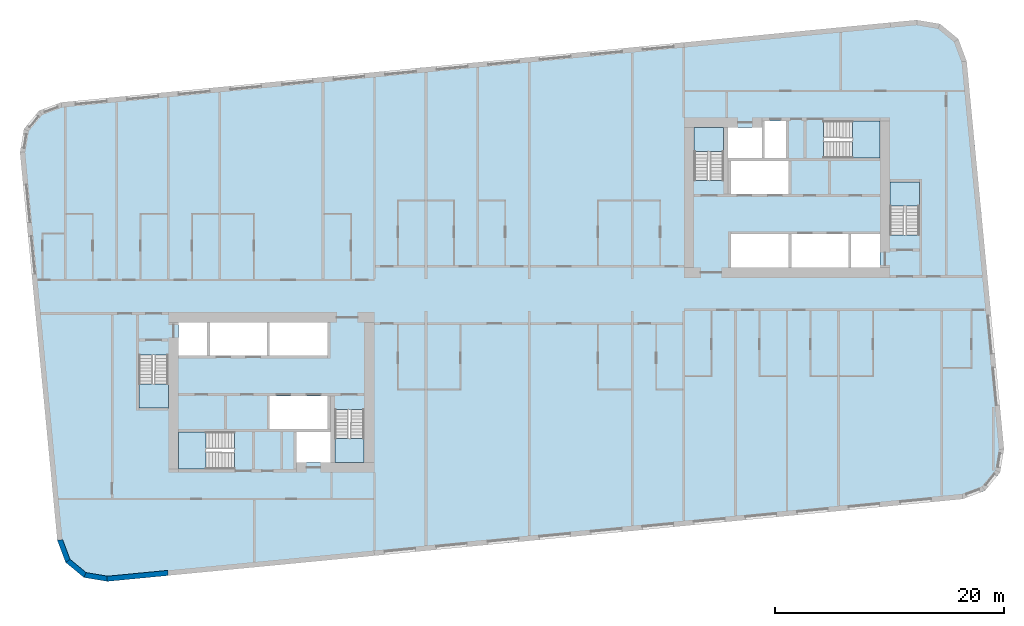
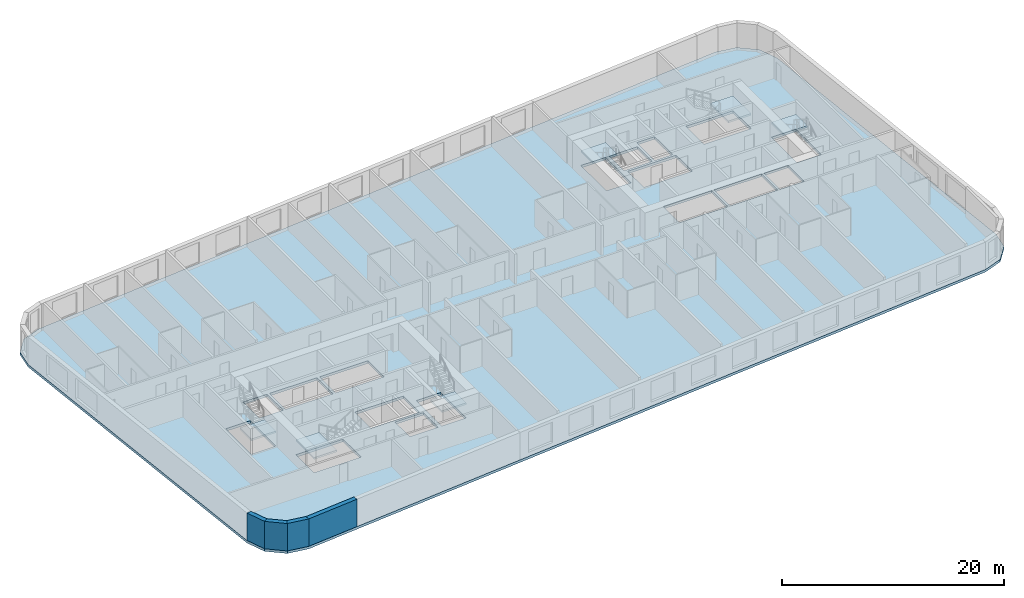
# One storey, part 1 of 12: 7 slabs, 4 walls, 6 elements without a shape of their own.
"""IFC4 building model written with IfcOpenShell, lengths in metres."""

from ifc_helpers import new_model, si_unit, direction, frame, frame_2d, origin, place, context, subcontext, project, spatial, polyline, rectangle, outline, extrude, material, layer, layer_set, type_object, element, aggregate, save


model = new_model("IFC4")

# Units and contexts
model_context = context("Model", 3, precision=1e-05, world=origin(), true_north=direction((0.0, 1.0)))
body_context = subcontext(model_context, "Body", "Model", "MODEL_VIEW")
ifc_project = project(units=[si_unit("LENGTHUNIT", "METRE"), si_unit("AREAUNIT", "SQUARE_METRE"), si_unit("VOLUMEUNIT", "CUBIC_METRE"), si_unit("PLANEANGLEUNIT", "RADIAN"), si_unit("MASSUNIT", "GRAM", prefix="KILO")], contexts=[model_context])

# Site, building, storey
site_placement = place(None, origin())
site = spatial("IfcSite", under=ifc_project, at=site_placement, CompositionType="ELEMENT")
building_placement = place(site_placement, origin())
building = spatial("IfcBuilding", under=site, at=building_placement, Name="Kajstack Hotel Tower", CompositionType="ELEMENT")
storey_placement = place(building_placement, frame((0.0, 0.0, 170.199951171875)))
storey = spatial("IfcBuildingStorey", under=building, at=storey_placement, Name="L39", CompositionType="ELEMENT", Elevation=170.199951171875)

# Slab
ifc_material_1 = material(Name="Concrete C40/50", Category="concrete")
ifc_layer_1 = layer(ifc_material_1, 0.280029296875)
ifc_layer_set_1 = layer_set([ifc_layer_1], Name="RC slab 280 C40/50 guest")
slab_type_1 = type_object("IfcSlabType", Name="RC slab 280 C40/50 guest", PredefinedType="FLOOR", material=ifc_layer_set_1)
slab_1_placement = place(storey_placement, frame((0.0, 0.0, -0.280029296875)))
element("IfcSlab", 1, at=slab_1_placement, inside=storey, type_object=slab_type_1, Name="S-slab-L39", PredefinedType="FLOOR", context=body_context, shape_type="SweptSolid", body=[
    extrude(outline(polyline([(-44.438232421875, 12.444091796875), (-41.1796875, -21.3994140625), (-40.454345703125, -23.3388671875), (-38.856689453125, -24.65576171875), (-36.814697265625, -24.99755859375), (37.840087890625, -17.80908203125), (39.779541015625, -17.083984375), (41.0966796875, -15.486328125), (41.438232421875, -13.444091796875), (38.1796875, 20.3994140625), (37.454345703125, 22.3388671875), (35.856689453125, 23.65576171875), (33.814697265625, 23.99755859375), (-40.840087890625, 16.80908203125), (-42.779541015625, 16.083984375), (-44.0966796875, 14.486328125), (-44.438232421875, 12.444091796875)]), holes=[polyline([(-22.64990234375, -11.699951171875), (-22.64990234375, -8.800048828125), (-17.60009765625, -8.800048828125), (-17.60009765625, -11.699951171875), (-22.64990234375, -11.699951171875)]), polyline([(-27.85009765625, -5.300048828125), (-27.85009765625, -2.39990234375), (-22.89990234375, -2.39990234375), (-22.89990234375, -5.300048828125), (-27.85009765625, -5.300048828125)]), polyline([(-22.64990234375, -5.300048828125), (-22.64990234375, -2.39990234375), (-17.60009765625, -2.39990234375), (-17.60009765625, -5.300048828125), (-22.64990234375, -5.300048828125)]), polyline([(-20.300048828125, -14.60009765625), (-17.35009765625, -14.60009765625), (-17.35009765625, -11.949951171875), (-20.300048828125, -11.949951171875), (-20.300048828125, -14.60009765625)]), polyline([(-30.60009765625, -5.300048828125), (-28.10009765625, -5.300048828125), (-28.10009765625, -2.39990234375), (-30.60009765625, -2.39990234375), (-30.60009765625, -5.300048828125)]), polyline([(17.60009765625, 8.800048828125), (17.60009765625, 11.699951171875), (22.64990234375, 11.699951171875), (22.64990234375, 8.800048828125), (17.60009765625, 8.800048828125)]), polyline([(22.89990234375, 2.39990234375), (22.89990234375, 5.300048828125), (27.85009765625, 5.300048828125), (27.85009765625, 2.39990234375), (22.89990234375, 2.39990234375)]), polyline([(17.60009765625, 2.39990234375), (17.60009765625, 5.300048828125), (22.64990234375, 5.300048828125), (22.64990234375, 2.39990234375), (17.60009765625, 2.39990234375)]), polyline([(20.300048828125, 14.60009765625), (17.35009765625, 14.60009765625), (17.35009765625, 11.949951171875), (20.300048828125, 11.949951171875), (20.300048828125, 14.60009765625)]), polyline([(30.60009765625, 5.300048828125), (28.10009765625, 5.300048828125), (28.10009765625, 2.39990234375), (30.60009765625, 2.39990234375), (30.60009765625, 5.300048828125)]), polyline([(-34.050048828125, -9.85009765625), (-31.5, -9.85009765625), (-31.5, -5.25), (-34.050048828125, -5.25), (-34.050048828125, -9.85009765625)]), polyline([(-16.949951171875, -14.60009765625), (-14.39990234375, -14.60009765625), (-14.39990234375, -10.0), (-16.949951171875, -10.0), (-16.949951171875, -14.60009765625)]), polyline([(-30.60009765625, -15.199951171875), (-25.699951171875, -15.199951171875), (-25.699951171875, -11.949951171875), (-30.60009765625, -11.949951171875), (-30.60009765625, -15.199951171875)]), polyline([(34.050048828125, 9.85009765625), (31.5, 9.85009765625), (31.5, 5.25), (34.050048828125, 5.25), (34.050048828125, 9.85009765625)]), polyline([(16.949951171875, 14.60009765625), (14.39990234375, 14.60009765625), (14.39990234375, 10.0), (16.949951171875, 10.0), (16.949951171875, 14.60009765625)]), polyline([(30.60009765625, 15.199951171875), (25.699951171875, 15.199951171875), (25.699951171875, 11.949951171875), (30.60009765625, 11.949951171875), (30.60009765625, 15.199951171875)]), polyline([(22.425048828125, 15.199951171875), (22.425048828125, 11.949951171875), (20.550048828125, 11.949951171875), (20.550048828125, 15.199951171875), (22.425048828125, 15.199951171875)])]), origin(), (0.0, 0.0, 1.0), 0.280029296875),
])

# Stair, slab
stair_type_1 = type_object("IfcStairType", Name="Exit stair 1200", PredefinedType="HALF_TURN_STAIR", material=ifc_material_1)
stair_1_placement = place(storey_placement, origin())
stair_1 = element("IfcStair", 2, at=stair_1_placement, inside=storey, type_object=stair_type_1, Name="L39 stair W1", PredefinedType="HALF_TURN_STAIR")
ifc_layer_2 = layer(ifc_material_1, 0.199951171875)
ifc_layer_set_2 = layer_set([ifc_layer_2], Name="Stair landing 200")
slab_type_2 = type_object("IfcSlabType", Name="Stair landing 200", PredefinedType="LANDING", material=ifc_layer_set_2)
slab_2_placement = place(storey_placement, frame((0.0, 0.0, 1.449951171875)))
slab_2 = element("IfcSlab", 3, at=slab_2_placement, type_object=slab_type_2, Name="W1 landing 1", PredefinedType="LANDING", context=body_context, shape_type="SweptSolid", body=[
    extrude(outline(polyline([(-34.050048828125, -7.77001953125), (-34.050048828125, -9.85009765625), (-31.5, -9.85009765625), (-31.5, -7.77001953125), (-34.050048828125, -7.77001953125)])), origin(), (0.0, 0.0, 1.0), 0.2001953125),
])
aggregate(stair_1, [slab_2])

stair_2_placement = place(storey_placement, origin())
stair_2 = element("IfcStair", 4, at=stair_2_placement, inside=storey, type_object=stair_type_1, Name="L39 stair W2", PredefinedType="HALF_TURN_STAIR")
slab_3_placement = place(storey_placement, frame((0.0, 0.0, 1.449951171875)))
slab_3 = element("IfcSlab", 5, at=slab_3_placement, type_object=slab_type_2, Name="W2 landing 1", PredefinedType="LANDING", context=body_context, shape_type="SweptSolid", body=[
    extrude(outline(polyline([(-16.949951171875, -12.52001953125), (-16.949951171875, -14.60009765625), (-14.39990234375, -14.60009765625), (-14.39990234375, -12.52001953125), (-16.949951171875, -12.52001953125)])), origin(), (0.0, 0.0, 1.0), 0.2001953125),
])
aggregate(stair_2, [slab_3])

stair_type_2 = type_object("IfcStairType", Name="Exit stair 1500", PredefinedType="HALF_TURN_STAIR", material=ifc_material_1)
stair_3_placement = place(storey_placement, origin())
stair_3 = element("IfcStair", 6, at=stair_3_placement, inside=storey, type_object=stair_type_2, Name="L39 stair W3", PredefinedType="HALF_TURN_STAIR")
slab_4_placement = place(storey_placement, frame((0.0, 0.0, 1.449951171875)))
slab_4 = element("IfcSlab", 7, at=slab_4_placement, type_object=slab_type_2, Name="W3 landing 1", PredefinedType="LANDING", context=body_context, shape_type="SweptSolid", body=[
    extrude(outline(polyline([(-28.219970703125, -11.949951171875), (-30.60009765625, -11.949951171875), (-30.60009765625, -15.199951171875), (-28.219970703125, -15.199951171875), (-28.219970703125, -11.949951171875)])), origin(), (0.0, 0.0, 1.0), 0.2001953125),
])
aggregate(stair_3, [slab_4])

stair_4_placement = place(storey_placement, origin())
stair_4 = element("IfcStair", 8, at=stair_4_placement, inside=storey, type_object=stair_type_1, Name="L39 stair E1", PredefinedType="HALF_TURN_STAIR")
slab_5_placement = place(storey_placement, frame((0.0, 0.0, 1.449951171875)))
slab_5 = element("IfcSlab", 9, at=slab_5_placement, type_object=slab_type_2, Name="E1 landing 1", PredefinedType="LANDING", context=body_context, shape_type="SweptSolid", body=[
    extrude(outline(polyline([(34.050048828125, 7.77001953125), (34.050048828125, 9.85009765625), (31.5, 9.85009765625), (31.5, 7.77001953125), (34.050048828125, 7.77001953125)])), origin(), (0.0, 0.0, 1.0), 0.2001953125),
])
aggregate(stair_4, [slab_5])

stair_5_placement = place(storey_placement, origin())
stair_5 = element("IfcStair", 10, at=stair_5_placement, inside=storey, type_object=stair_type_1, Name="L39 stair E2", PredefinedType="HALF_TURN_STAIR")
slab_6_placement = place(storey_placement, frame((0.0, 0.0, 1.449951171875)))
slab_6 = element("IfcSlab", 11, at=slab_6_placement, type_object=slab_type_2, Name="E2 landing 1", PredefinedType="LANDING", context=body_context, shape_type="SweptSolid", body=[
    extrude(outline(polyline([(16.949951171875, 12.52001953125), (16.949951171875, 14.60009765625), (14.39990234375, 14.60009765625), (14.39990234375, 12.52001953125), (16.949951171875, 12.52001953125)])), origin(), (0.0, 0.0, 1.0), 0.2001953125),
])
aggregate(stair_5, [slab_6])

stair_6_placement = place(storey_placement, origin())
stair_6 = element("IfcStair", 12, at=stair_6_placement, inside=storey, type_object=stair_type_2, Name="L39 stair E3", PredefinedType="HALF_TURN_STAIR")
slab_7_placement = place(storey_placement, frame((0.0, 0.0, 1.449951171875)))
slab_7 = element("IfcSlab", 13, at=slab_7_placement, type_object=slab_type_2, Name="E3 landing 1", PredefinedType="LANDING", context=body_context, shape_type="SweptSolid", body=[
    extrude(outline(polyline([(28.219970703125, 11.949951171875), (30.60009765625, 11.949951171875), (30.60009765625, 15.199951171875), (28.219970703125, 15.199951171875), (28.219970703125, 11.949951171875)])), origin(), (0.0, 0.0, 1.0), 0.2001953125),
])
aggregate(stair_6, [slab_7])

# Walls
ifc_material_2 = material(Name="Terracotta-faced brick masonry", Category="masonry")
ifc_layer_3 = layer(ifc_material_2, 0.449951171875)
ifc_layer_set_3 = layer_set([ifc_layer_3], Name="EW-TERRA")
wall_type = type_object("IfcWallType", Name="EW-TERRA", PredefinedType="SOLIDWALL", material=ifc_layer_set_3)
wall_1_placement = place(storey_placement, frame((-40.96875, -21.320556640625, 0.0), z_axis=(0.0, 0.0, 1.0), x_axis=(0.350192909346, -0.936677599948, 0.0)))
element("IfcWall", 14, at=wall_1_placement, inside=storey, type_object=wall_type, Name="E-wall-L39-01-00", PredefinedType="SOLIDWALL", context=body_context, shape_type="SweptSolid", body=[
    extrude(outline(polyline([(0.0, -0.22509765625), (2.070556640625, -0.22509765625), (1.949951171875, 0.22509765625), (0.12060546875, 0.224853515625), (0.0, -0.22509765625)])), origin(), (0.0, 0.0, 1.0), 3.02001953125),
])
wall_2_placement = place(storey_placement, frame((-40.311279296875, -23.165283203125, 0.0), z_axis=(0.0, 0.0, 1.0), x_axis=(0.771651049663, -0.636046112757, 0.0)))
element("IfcWall", 15, at=wall_2_placement, inside=storey, type_object=wall_type, Name="E-wall-L39-02-00", PredefinedType="SOLIDWALL", context=body_context, shape_type="SweptSolid", body=[
    extrude(outline(polyline([(0.0, -0.224853515625), (2.0703125, -0.22509765625), (1.94970703125, 0.224853515625), (0.12060546875, 0.22509765625), (0.0, -0.224853515625)])), origin(), (0.0, 0.0, 1.0), 3.02001953125),
])
wall_3_placement = place(storey_placement, frame((-38.819580078125, -24.433837890625, 0.0), z_axis=(0.0, 0.0, 1.0), x_axis=(0.986278951104, -0.165087342366, 0.0)))
element("IfcWall", 16, at=wall_3_placement, inside=storey, type_object=wall_type, Name="E-wall-L39-03-00", PredefinedType="SOLIDWALL", context=body_context, shape_type="SweptSolid", body=[
    extrude(outline(polyline([(0.0, -0.22509765625), (2.070556640625, -0.224853515625), (1.949951171875, 0.22509765625), (0.12060546875, 0.224853515625), (0.0, -0.22509765625)])), origin(), (0.0, 0.0, 1.0), 3.02001953125),
])
wall_4_placement = place(storey_placement, frame((-36.836181640625, -24.7734375, 0.0), z_axis=(0.0, 0.0, 1.0), x_axis=(0.995396705659, 0.095840483948, 0.0)))
element("IfcWall", 17, at=wall_4_placement, inside=storey, type_object=wall_type, Name="E-wall-L39-04-00", PredefinedType="SOLIDWALL", context=body_context, shape_type="SweptSolid", body=[
    extrude(rectangle(XDim=5.33935546875, YDim=0.449951171875, at=frame_2d((2.669677734375, 0.0))), origin(), (0.0, 0.0, 1.0), 3.02001953125),
])

save(model, "model.ifc")
